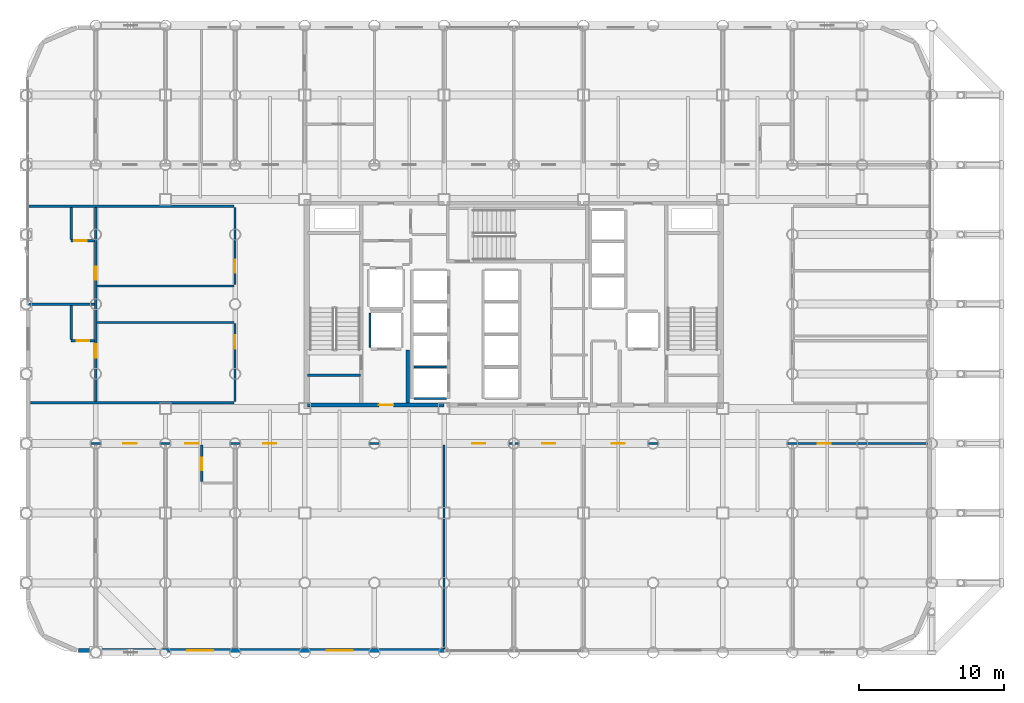
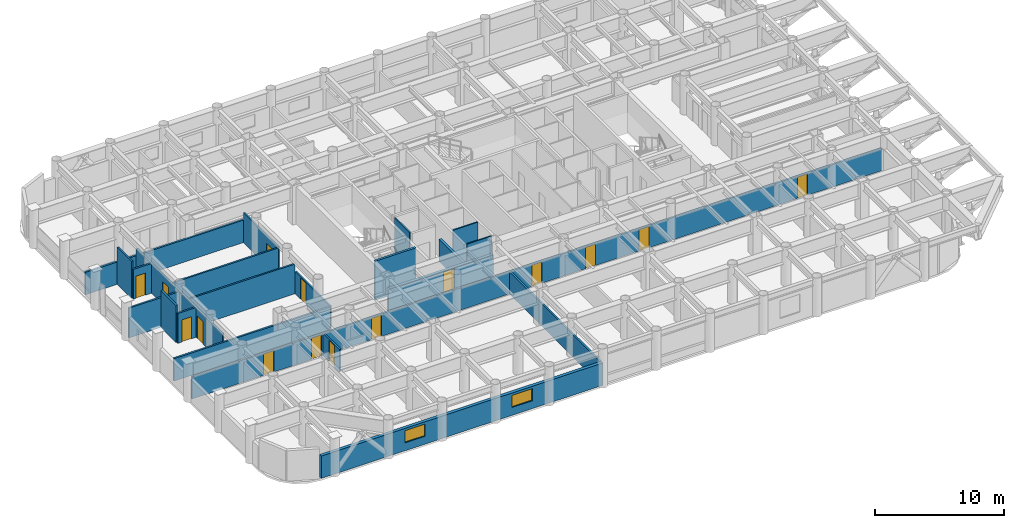
# One storey, part 21 of 26: 22 walls, 15 doors, 2 windows, 17 openings.
"""IFC4 building model written with IfcOpenShell, lengths in metres."""

from ifc_helpers import new_model, si_unit, direction, frame, frame_2d, origin, place, context, subcontext, project, spatial, rectangle, extrude, material, layer, layer_set, type_object, element, fill, save


model = new_model("IFC4")

# Units and contexts
model_context = context("Model", 3, precision=1e-05, world=origin(), true_north=direction((0.0, 1.0)))
body_context = subcontext(model_context, "Body", "Model", "MODEL_VIEW")
ifc_project = project(units=[si_unit("LENGTHUNIT", "METRE"), si_unit("AREAUNIT", "SQUARE_METRE"), si_unit("VOLUMEUNIT", "CUBIC_METRE"), si_unit("PLANEANGLEUNIT", "RADIAN"), si_unit("MASSUNIT", "GRAM", prefix="KILO")], contexts=[model_context])

# Site, building, storey
site_placement = place(None, origin())
site = spatial("IfcSite", under=ifc_project, at=site_placement, CompositionType="ELEMENT")
building_placement = place(site_placement, origin())
building = spatial("IfcBuilding", under=site, at=building_placement, Name="Kallvorn Hotel Tower", CompositionType="ELEMENT")
storey_placement = place(building_placement, frame((0.0, 0.0, 55.89990234375)))
storey = spatial("IfcBuildingStorey", under=building, at=storey_placement, Name="L12", CompositionType="ELEMENT", Elevation=55.89990234375)

# Wall, openings, doors
ifc_material_1 = material(Name="Fire-rated double-layer acoustic gypsum drywall EI 60")
ifc_layer_1 = layer(ifc_material_1, 0.159912109375)
ifc_layer_set_1 = layer_set([ifc_layer_1], Name="WL_DEMISE_160")
wall_type_1 = type_object("IfcWallType", Name="WL_DEMISE_160", PredefinedType="PARTITIONING", material=ifc_layer_set_1)
wall_1_placement = place(storey_placement, frame((-33.31005859375, -9.60009765625, 0.0), z_axis=(0.0, 0.0, 1.0), x_axis=(1.0, 0.0, 0.0)))
wall_1 = element("IfcWall", 1, at=wall_1_placement, inside=storey, type_object=wall_type_1, Name="L12 Suite 1203 Superior Twin Room Partition", PredefinedType="PARTITIONING", context=body_context, shape_type="SweptSolid", body=[
    extrude(rectangle(XDim=61.820068359375, YDim=0.159912109375, at=frame_2d((30.91015625, 0.0))), origin(), (0.0, 0.0, 1.0), 2.1201171875),
])
opening_1_placement = place(wall_1_placement, frame((6.419921875, 0.0, 0.0)))
opening_1 = element("IfcOpeningElement", 2, at=opening_1_placement, cuts=wall_1, Name="Opening SVD1A", PredefinedType="OPENING", context=body_context, shape_type="SweptSolid", body=[
    extrude(rectangle(XDim=0.89990234375, YDim=2.02001953125, at=frame_2d((0.449951171875, 1.010009765625))), frame((0.0, 0.094970703125, 0.0), z_axis=(0.0, -1.0, 0.0), x_axis=(1.0, 0.0, 0.0)), (0.0, 0.0, 1.0), 0.18994140625),
])
opening_2_placement = place(wall_1_placement, frame((54.240478515625, 0.0, 0.0)))
opening_2 = element("IfcOpeningElement", 3, at=opening_2_placement, cuts=wall_1, Name="Opening SVD1A", PredefinedType="OPENING", context=body_context, shape_type="SweptSolid", body=[
    extrude(rectangle(XDim=0.89990234375, YDim=2.02001953125, at=frame_2d((0.449951171875, 1.010009765625))), frame((0.0, 0.094970703125, 0.0), z_axis=(0.0, -1.0, 0.0), x_axis=(1.0, 0.0, 0.0)), (0.0, 0.0, 1.0), 0.18994140625),
])
opening_3_placement = place(wall_1_placement, frame((10.679931640625, 0.0, 0.0)))
opening_3 = element("IfcOpeningElement", 4, at=opening_3_placement, cuts=wall_1, Name="Opening GD1A", PredefinedType="OPENING", context=body_context, shape_type="SweptSolid", body=[
    extrude(rectangle(XDim=0.919921875, YDim=2.02001953125, at=frame_2d((0.4599609375, 1.010009765625))), frame((0.0, 0.094970703125, 0.0), z_axis=(0.0, -1.0, 0.0), x_axis=(1.0, 0.0, 0.0)), (0.0, 0.0, 1.0), 0.18994140625),
])
opening_4_placement = place(wall_1_placement, frame((16.06005859375, 0.0, 0.0)))
opening_4 = element("IfcOpeningElement", 5, at=opening_4_placement, cuts=wall_1, Name="Opening SVD1A", PredefinedType="OPENING", context=body_context, shape_type="SweptSolid", body=[
    extrude(rectangle(XDim=0.89990234375, YDim=2.02001953125, at=frame_2d((0.449951171875, 1.010009765625))), frame((0.0, 0.094970703125, 0.0), z_axis=(0.0, -1.0, 0.0), x_axis=(1.0, 0.0, 0.0)), (0.0, 0.0, 1.0), 0.18994140625),
])
opening_5_placement = place(wall_1_placement, frame((30.4599609375, 0.0, 0.0)))
opening_5 = element("IfcOpeningElement", 6, at=opening_5_placement, cuts=wall_1, Name="Opening SVD1A", PredefinedType="OPENING", context=body_context, shape_type="SweptSolid", body=[
    extrude(rectangle(XDim=0.89990234375, YDim=2.02001953125, at=frame_2d((0.449951171875, 1.010009765625))), frame((0.0, 0.094970703125, 0.0), z_axis=(0.0, -1.0, 0.0), x_axis=(1.0, 0.0, 0.0)), (0.0, 0.0, 1.0), 0.18994140625),
])
opening_6_placement = place(wall_1_placement, frame((35.260009765625, 0.0, 0.0)))
opening_6 = element("IfcOpeningElement", 7, at=opening_6_placement, cuts=wall_1, Name="Opening SVD1A", PredefinedType="OPENING", context=body_context, shape_type="SweptSolid", body=[
    extrude(rectangle(XDim=0.89990234375, YDim=2.02001953125, at=frame_2d((0.449951171875, 1.010009765625))), frame((0.0, 0.094970703125, 0.0), z_axis=(0.0, -1.0, 0.0), x_axis=(1.0, 0.0, 0.0)), (0.0, 0.0, 1.0), 0.18994140625),
])
opening_7_placement = place(wall_1_placement, frame((40.06005859375, 0.0, 0.0)))
opening_7 = element("IfcOpeningElement", 8, at=opening_7_placement, cuts=wall_1, Name="Opening SVD1A", PredefinedType="OPENING", context=body_context, shape_type="SweptSolid", body=[
    extrude(rectangle(XDim=0.89990234375, YDim=2.02001953125, at=frame_2d((0.449951171875, 1.010009765625))), frame((0.0, 0.094970703125, 0.0), z_axis=(0.0, -1.0, 0.0), x_axis=(1.0, 0.0, 0.0)), (0.0, 0.0, 1.0), 0.18994140625),
])
ifc_material_2 = material(Name="Solid-core walnut veneer fire-rated timber door leaf", Category="wood")
door_type_1 = type_object("IfcDoorType", Name="DR_GUEST_920x2020", OperationType="NOTDEFINED", PredefinedType="DOOR", material=ifc_material_2)
door_1_placement = place(opening_3_placement, origin())
door_1 = element("IfcDoor", 9, at=door_1_placement, inside=storey, type_object=door_type_1, Name="L12 Suite 1203 Superior Twin Room Door", OperationType="SINGLE_SWING_LEFT", OverallHeight=2.02001953125, OverallWidth=0.919921875, PredefinedType="DOOR", context=body_context, shape_type="SweptSolid", body=[
    extrude(rectangle(XDim=0.919921875, YDim=2.02001953125, at=frame_2d((0.4599609375, 1.010009765625))), frame((0.0, 0.02490234375, 0.0), z_axis=(0.0, -1.0, 0.0), x_axis=(1.0, 0.0, 0.0)), (0.0, 0.0, 1.0), 0.050048828125),
])
fill(opening_3, door_1)
ifc_material_3 = material(Name="Galvanised painted steel fire-rated door assembly", Category="steel")
door_type_2 = type_object("IfcDoorType", Name="DR_SERV_900x2020", OperationType="NOTDEFINED", PredefinedType="DOOR", material=ifc_material_3)
door_2_placement = place(opening_1_placement, origin())
door_2 = element("IfcDoor", 10, at=door_2_placement, inside=storey, type_object=door_type_2, Name="L12 L12 South-West Botanical Bar B Door", OperationType="SINGLE_SWING_RIGHT", OverallHeight=2.02001953125, OverallWidth=0.89990234375, PredefinedType="DOOR", context=body_context, shape_type="SweptSolid", body=[
    extrude(rectangle(XDim=0.89990234375, YDim=2.02001953125, at=frame_2d((0.449951171875, 1.010009765625))), frame((0.0, 0.02490234375, 0.0), z_axis=(0.0, -1.0, 0.0), x_axis=(1.0, 0.0, 0.0)), (0.0, 0.0, 1.0), 0.050048828125),
])
fill(opening_1, door_2)
door_3_placement = place(opening_2_placement, origin())
door_3 = element("IfcDoor", 11, at=door_3_placement, inside=storey, type_object=door_type_2, Name="L12 L12 South-East Sommelier Bar Door", OperationType="SINGLE_SWING_RIGHT", OverallHeight=2.02001953125, OverallWidth=0.89990234375, PredefinedType="DOOR", context=body_context, shape_type="SweptSolid", body=[
    extrude(rectangle(XDim=0.89990234375, YDim=2.02001953125, at=frame_2d((0.449951171875, 1.010009765625))), frame((0.0, 0.02490234375, 0.0), z_axis=(0.0, -1.0, 0.0), x_axis=(1.0, 0.0, 0.0)), (0.0, 0.0, 1.0), 0.050048828125),
])
fill(opening_2, door_3)
door_4_placement = place(opening_4_placement, origin())
door_4 = element("IfcDoor", 12, at=door_4_placement, inside=storey, type_object=door_type_2, Name="L12 L12 Diplomatic Summit Conference Boardroom 2 Door", OperationType="SINGLE_SWING_LEFT", OverallHeight=2.02001953125, OverallWidth=0.89990234375, PredefinedType="DOOR", context=body_context, shape_type="SweptSolid", body=[
    extrude(rectangle(XDim=0.89990234375, YDim=2.02001953125, at=frame_2d((0.449951171875, 1.010009765625))), frame((0.0, 0.02490234375, 0.0), z_axis=(0.0, -1.0, 0.0), x_axis=(1.0, 0.0, 0.0)), (0.0, 0.0, 1.0), 0.050048828125),
])
fill(opening_4, door_4)
door_5_placement = place(opening_5_placement, origin())
door_5 = element("IfcDoor", 13, at=door_5_placement, inside=storey, type_object=door_type_2, Name="L12 L12 Diplomatic Summit Conference Boardroom 3-1 Door", OperationType="SINGLE_SWING_LEFT", OverallHeight=2.02001953125, OverallWidth=0.89990234375, PredefinedType="DOOR", context=body_context, shape_type="SweptSolid", body=[
    extrude(rectangle(XDim=0.89990234375, YDim=2.02001953125, at=frame_2d((0.449951171875, 1.010009765625))), frame((0.0, 0.02490234375, 0.0), z_axis=(0.0, -1.0, 0.0), x_axis=(1.0, 0.0, 0.0)), (0.0, 0.0, 1.0), 0.050048828125),
])
fill(opening_5, door_5)
door_6_placement = place(opening_6_placement, origin())
door_6 = element("IfcDoor", 14, at=door_6_placement, inside=storey, type_object=door_type_2, Name="L12 L12 Diplomatic Summit Conference Boardroom 3-2 Door", OperationType="SINGLE_SWING_LEFT", OverallHeight=2.02001953125, OverallWidth=0.89990234375, PredefinedType="DOOR", context=body_context, shape_type="SweptSolid", body=[
    extrude(rectangle(XDim=0.89990234375, YDim=2.02001953125, at=frame_2d((0.449951171875, 1.010009765625))), frame((0.0, 0.02490234375, 0.0), z_axis=(0.0, -1.0, 0.0), x_axis=(1.0, 0.0, 0.0)), (0.0, 0.0, 1.0), 0.050048828125),
])
fill(opening_6, door_6)
door_7_placement = place(opening_7_placement, origin())
door_7 = element("IfcDoor", 15, at=door_7_placement, inside=storey, type_object=door_type_2, Name="L12 L12 Sommelier Wine and Tapas Bar 4 Door", OperationType="SINGLE_SWING_LEFT", OverallHeight=2.02001953125, OverallWidth=0.89990234375, PredefinedType="DOOR", context=body_context, shape_type="SweptSolid", body=[
    extrude(rectangle(XDim=0.89990234375, YDim=2.02001953125, at=frame_2d((0.449951171875, 1.010009765625))), frame((0.0, 0.02490234375, 0.0), z_axis=(0.0, -1.0, 0.0), x_axis=(1.0, 0.0, 0.0)), (0.0, 0.0, 1.0), 0.050048828125),
])
fill(opening_7, door_7)

# Wall
wall_2_placement = place(storey_placement, frame((-33.31005859375, -6.800048828125, 0.0), z_axis=(0.0, 0.0, 1.0), x_axis=(1.0, 0.0, 0.0)))
element("IfcWall", 16, at=wall_2_placement, inside=storey, type_object=wall_type_1, Name="L12 Suite 1201 W Loggia King Room Partition", PredefinedType="PARTITIONING", context=body_context, shape_type="SweptSolid", body=[
    extrude(rectangle(XDim=14.030029296875, YDim=0.159912109375, at=frame_2d((7.01513671875, 0.0))), origin(), (0.0, 0.0, 1.0), 2.1201171875),
])

# Wall, opening, door
wall_3_placement = place(storey_placement, frame((-30.5, -2.52490234375, 0.0), z_axis=(0.0, 0.0, 1.0), x_axis=(1.0, 0.0, 0.0)))
wall_3 = element("IfcWall", 17, at=wall_3_placement, inside=storey, type_object=wall_type_1, Name="L12 Suite 1201 W Loggia King Room Partition", PredefinedType="PARTITIONING", context=body_context, shape_type="SweptSolid", body=[
    extrude(rectangle(XDim=1.6201171875, YDim=0.159912109375, at=frame_2d((0.81005859375, 0.0))), origin(), (0.0, 0.0, 1.0), 2.820068359375),
])
opening_8_placement = place(wall_3_placement, frame((0.3798828125, 0.0, 0.0)))
opening_8 = element("IfcOpeningElement", 18, at=opening_8_placement, cuts=wall_3, Name="Opening BD-I", PredefinedType="OPENING", context=body_context, shape_type="SweptSolid", body=[
    extrude(rectangle(XDim=0.860107421875, YDim=2.10009765625, at=frame_2d((0.43017578125, 1.050048828125))), frame((0.0, 0.094970703125, 0.0), z_axis=(0.0, -1.0, 0.0), x_axis=(1.0, 0.0, 0.0)), (0.0, 0.0, 1.0), 0.18994140625),
])
ifc_material_4 = material(Name="Solid-core walnut veneer fire-rated timber door leaf", Category="wood")
door_type_3 = type_object("IfcDoorType", Name="DR_BATH_860x2100", OperationType="NOTDEFINED", PredefinedType="DOOR", material=ifc_material_4)
door_8_placement = place(opening_8_placement, origin())
door_8 = element("IfcDoor", 19, at=door_8_placement, inside=storey, type_object=door_type_3, Name="L12 Suite 1201 En-Suite Bathroom Door", OperationType="SINGLE_SWING_RIGHT", OverallHeight=2.10009765625, OverallWidth=0.860107421875, PredefinedType="DOOR", context=body_context, shape_type="SweptSolid", body=[
    extrude(rectangle(XDim=0.860107421875, YDim=2.10009765625, at=frame_2d((0.43017578125, 1.050048828125))), frame((0.0, 0.02490234375, 0.0), z_axis=(0.0, -1.0, 0.0), x_axis=(1.0, 0.0, 0.0)), (0.0, 0.0, 1.0), 0.050048828125),
])
fill(opening_8, door_8)

# Wall
wall_4_placement = place(storey_placement, frame((-33.429931640625, 0.0, 0.0), z_axis=(0.0, 0.0, 1.0), x_axis=(1.0, 0.0, 0.0)))
element("IfcWall", 20, at=wall_4_placement, inside=storey, type_object=wall_type_1, Name="L12 Suite 1202 W Andean Twin Room Partition", PredefinedType="PARTITIONING", context=body_context, shape_type="SweptSolid", body=[
    extrude(rectangle(XDim=4.550048828125, YDim=0.159912109375, at=frame_2d((2.27490234375, 0.0))), origin(), (0.0, 0.0, 1.0), 2.820068359375),
])

# Wall, opening, door
wall_5_placement = place(storey_placement, frame((-30.5, 4.373291015625, 0.0), z_axis=(0.0, 0.0, 1.0), x_axis=(1.0, 0.0, 0.0)))
wall_5 = element("IfcWall", 21, at=wall_5_placement, inside=storey, type_object=wall_type_1, Name="L12 Suite 1202 W Andean Twin Room Partition", PredefinedType="PARTITIONING", context=body_context, shape_type="SweptSolid", body=[
    extrude(rectangle(XDim=1.6201171875, YDim=0.159912109375, at=frame_2d((0.81005859375, 0.0))), origin(), (0.0, 0.0, 1.0), 2.820068359375),
])
opening_9_placement = place(wall_5_placement, frame((0.219970703125, 0.0, 0.0)))
opening_9 = element("IfcOpeningElement", 22, at=opening_9_placement, cuts=wall_5, Name="Opening BD-I", PredefinedType="OPENING", context=body_context, shape_type="SweptSolid", body=[
    extrude(rectangle(XDim=0.860107421875, YDim=2.10009765625, at=frame_2d((0.43017578125, 1.050048828125))), frame((0.0, 0.094970703125, 0.0), z_axis=(0.0, -1.0, 0.0), x_axis=(1.0, 0.0, 0.0)), (0.0, 0.0, 1.0), 0.18994140625),
])
door_9_placement = place(opening_9_placement, origin())
door_9 = element("IfcDoor", 23, at=door_9_placement, inside=storey, type_object=door_type_3, Name="L12 Suite 1202 En-Suite Bathroom Door", OperationType="SINGLE_SWING_LEFT", OverallHeight=2.10009765625, OverallWidth=0.860107421875, PredefinedType="DOOR", context=body_context, shape_type="SweptSolid", body=[
    extrude(rectangle(XDim=0.860107421875, YDim=2.10009765625, at=frame_2d((0.43017578125, 1.050048828125))), frame((0.0, 0.02490234375, 0.0), z_axis=(0.0, -1.0, 0.0), x_axis=(1.0, 0.0, 0.0)), (0.0, 0.0, 1.0), 0.050048828125),
])
fill(opening_9, door_9)

# Walls
wall_6_placement = place(storey_placement, frame((-33.429931640625, 6.75, 0.0), z_axis=(0.0, 0.0, 1.0), x_axis=(1.0, 0.0, 0.0)))
element("IfcWall", 24, at=wall_6_placement, inside=storey, type_object=wall_type_1, Name="L12 Suite 1202 W Andean Twin Room Partition", PredefinedType="PARTITIONING", context=body_context, shape_type="SweptSolid", body=[
    extrude(rectangle(XDim=14.14990234375, YDim=0.159912109375, at=frame_2d((7.074951171875, 0.0))), origin(), (0.0, 0.0, 1.0), 2.1201171875),
])
wall_7_placement = place(storey_placement, frame((-30.5, -2.43994140625, 0.0), z_axis=(0.0, 0.0, 1.0), x_axis=(0.0, 1.0, 0.0)))
element("IfcWall", 25, at=wall_7_placement, inside=storey, type_object=wall_type_1, Name="L12 Suite 1201 W Loggia King Room Partition", PredefinedType="PARTITIONING", context=body_context, shape_type="SweptSolid", body=[
    extrude(rectangle(XDim=2.33984375, YDim=0.159912109375, at=frame_2d((1.169921875, 0.0))), origin(), (0.0, 0.0, 1.0), 3.52001953125),
])
wall_8_placement = place(storey_placement, frame((-30.5, 4.458251953125, 0.0), z_axis=(0.0, 0.0, 1.0), x_axis=(0.0, 1.0, 0.0)))
element("IfcWall", 26, at=wall_8_placement, inside=storey, type_object=wall_type_1, Name="L12 Suite 1202 W Andean Twin Room Partition", PredefinedType="PARTITIONING", context=body_context, shape_type="SweptSolid", body=[
    extrude(rectangle(XDim=2.206787109375, YDim=0.159912109375, at=frame_2d((1.103515625, 0.0))), origin(), (0.0, 0.0, 1.0), 3.52001953125),
])

# Wall, openings, doors
wall_9_placement = place(storey_placement, frame((-28.800048828125, -6.715087890625, 0.0), z_axis=(0.0, 0.0, 1.0), x_axis=(0.0, 1.0, 0.0)))
wall_9 = element("IfcWall", 27, at=wall_9_placement, inside=storey, type_object=wall_type_1, Name="L12 Suite 1201 W Loggia King Room Partition", PredefinedType="PARTITIONING", context=body_context, shape_type="SweptSolid", body=[
    extrude(rectangle(XDim=13.380126953125, YDim=0.159912109375, at=frame_2d((6.68994140625, 0.0))), origin(), (0.0, 0.0, 1.0), 2.820068359375),
])
opening_10_placement = place(wall_9_placement, frame((3.034912109375, 0.0, 0.0)))
opening_10 = element("IfcOpeningElement", 28, at=opening_10_placement, cuts=wall_9, Name="Opening GD1", PredefinedType="OPENING", context=body_context, shape_type="SweptSolid", body=[
    extrude(rectangle(XDim=0.919921875, YDim=2.14990234375, at=frame_2d((0.4599609375, 1.074951171875))), frame((0.0, 0.094970703125, 0.0), z_axis=(0.0, -1.0, 0.0), x_axis=(1.0, 0.0, 0.0)), (0.0, 0.0, 1.0), 0.18994140625),
])
opening_11_placement = place(wall_9_placement, frame((8.385009765625, 0.0, 0.0)))
opening_11 = element("IfcOpeningElement", 29, at=opening_11_placement, cuts=wall_9, Name="Opening GD1", PredefinedType="OPENING", context=body_context, shape_type="SweptSolid", body=[
    extrude(rectangle(XDim=0.919921875, YDim=2.14990234375, at=frame_2d((0.4599609375, 1.074951171875))), frame((0.0, 0.094970703125, 0.0), z_axis=(0.0, -1.0, 0.0), x_axis=(1.0, 0.0, 0.0)), (0.0, 0.0, 1.0), 0.18994140625),
])
ifc_material_5 = material(Name="Solid-core walnut veneer fire-rated timber door leaf", Category="wood")
door_type_4 = type_object("IfcDoorType", Name="DR_GUEST_920x2150", OperationType="NOTDEFINED", PredefinedType="DOOR", material=ifc_material_5)
door_10_placement = place(opening_10_placement, origin())
door_10 = element("IfcDoor", 30, at=door_10_placement, inside=storey, type_object=door_type_4, Name="L12 Suite 1201 W Loggia King Room Door", OperationType="SINGLE_SWING_RIGHT", OverallHeight=2.14990234375, OverallWidth=0.919921875, PredefinedType="DOOR", context=body_context, shape_type="SweptSolid", body=[
    extrude(rectangle(XDim=0.919921875, YDim=2.14990234375, at=frame_2d((0.4599609375, 1.074951171875))), frame((0.0, 0.02490234375, 0.0), z_axis=(0.0, -1.0, 0.0), x_axis=(1.0, 0.0, 0.0)), (0.0, 0.0, 1.0), 0.050048828125),
])
fill(opening_10, door_10)
door_11_placement = place(opening_11_placement, origin())
door_11 = element("IfcDoor", 31, at=door_11_placement, inside=storey, type_object=door_type_4, Name="L12 Suite 1202 W Andean Twin Room Door", OperationType="SINGLE_SWING_RIGHT", OverallHeight=2.14990234375, OverallWidth=0.919921875, PredefinedType="DOOR", context=body_context, shape_type="SweptSolid", body=[
    extrude(rectangle(XDim=0.919921875, YDim=2.14990234375, at=frame_2d((0.4599609375, 1.074951171875))), frame((0.0, 0.02490234375, 0.0), z_axis=(0.0, -1.0, 0.0), x_axis=(1.0, 0.0, 0.0)), (0.0, 0.0, 1.0), 0.050048828125),
])
fill(opening_11, door_11)

# Wall, opening, door
wall_10_placement = place(storey_placement, frame((-21.5048828125, -12.235107421875, 0.0), z_axis=(0.0, 0.0, 1.0), x_axis=(0.0, 1.0, 0.0)))
wall_10 = element("IfcWall", 32, at=wall_10_placement, inside=storey, type_object=wall_type_1, Name="L12 Suite 1203 Superior Twin Room Partition", PredefinedType="PARTITIONING", context=body_context, shape_type="SweptSolid", body=[
    extrude(rectangle(XDim=2.51513671875, YDim=0.159912109375, at=frame_2d((1.257568359375, 0.0))), origin(), (0.0, 0.0, 1.0), 2.1201171875),
])
opening_12_placement = place(wall_10_placement, frame((0.784912109375, 0.0, 0.0)))
opening_12 = element("IfcOpeningElement", 33, at=opening_12_placement, cuts=wall_10, Name="Opening BD-IA", PredefinedType="OPENING", context=body_context, shape_type="SweptSolid", body=[
    extrude(rectangle(XDim=0.860107421875, YDim=2.02001953125, at=frame_2d((0.43017578125, 1.010009765625))), frame((0.0, 0.094970703125, 0.0), z_axis=(0.0, -1.0, 0.0), x_axis=(1.0, 0.0, 0.0)), (0.0, 0.0, 1.0), 0.18994140625),
])
ifc_material_6 = material(Name="Solid-core walnut veneer fire-rated timber door leaf", Category="wood")
door_type_5 = type_object("IfcDoorType", Name="DR_BATH_860x2020", OperationType="NOTDEFINED", PredefinedType="DOOR", material=ifc_material_6)
door_12_placement = place(opening_12_placement, origin())
door_12 = element("IfcDoor", 34, at=door_12_placement, inside=storey, type_object=door_type_5, Name="L12 Suite 1203 En-Suite Bathroom Door", OperationType="SINGLE_SWING_RIGHT", OverallHeight=2.02001953125, OverallWidth=0.860107421875, PredefinedType="DOOR", context=body_context, shape_type="SweptSolid", body=[
    extrude(rectangle(XDim=0.860107421875, YDim=2.02001953125, at=frame_2d((0.43017578125, 1.010009765625))), frame((0.0, 0.02490234375, 0.0), z_axis=(0.0, -1.0, 0.0), x_axis=(1.0, 0.0, 0.0)), (0.0, 0.0, 1.0), 0.050048828125),
])
fill(opening_12, door_12)

# Wall, openings, windows
ifc_material_7 = material(Name="Precast basalt-clad insulated concrete wall C40/50", Category="masonry")
ifc_layer_2 = layer(ifc_material_7, 0.280029296875)
ifc_layer_set_2 = layer_set([ifc_layer_2], Name="WL_EXT_LOGGIA_280")
wall_type_2 = type_object("IfcWallType", Name="WL_EXT_LOGGIA_280", PredefinedType="SOLIDWALL", material=ifc_layer_set_2)
wall_11_placement = place(storey_placement, frame((-30.0, -23.860107421875, 0.0), z_axis=(0.0, 0.0, 1.0), x_axis=(1.0, 0.0, 0.0)))
wall_11 = element("IfcWall", 35, at=wall_11_placement, inside=storey, type_object=wall_type_2, Name="L12 Exterior Envelope Wall EW-L12-SW", PredefinedType="SOLIDWALL", context=body_context, shape_type="SweptSolid", body=[
    extrude(rectangle(XDim=25.25, YDim=0.280029296875, at=frame_2d((12.625, 0.0))), origin(), (0.0, 0.0, 1.0), 2.1201171875),
])
opening_13_placement = place(wall_11_placement, frame((7.5, 0.0, 0.75)))
opening_13 = element("IfcOpeningElement", 36, at=opening_13_placement, cuts=wall_11, Name="Opening W04A", PredefinedType="OPENING", context=body_context, shape_type="SweptSolid", body=[
    extrude(rectangle(XDim=1.800048828125, YDim=1.14990234375, at=frame_2d((0.89990234375, 0.574951171875))), frame((0.0, 0.155029296875, 0.0), z_axis=(0.0, -1.0, 0.0), x_axis=(1.0, 0.0, 0.0)), (0.0, 0.0, 1.0), 0.31005859375),
])
opening_14_placement = place(wall_11_placement, frame((17.10009765625, 0.0, 0.75)))
opening_14 = element("IfcOpeningElement", 37, at=opening_14_placement, cuts=wall_11, Name="Opening W04A", PredefinedType="OPENING", context=body_context, shape_type="SweptSolid", body=[
    extrude(rectangle(XDim=1.800048828125, YDim=1.14990234375, at=frame_2d((0.89990234375, 0.574951171875))), frame((0.0, 0.155029296875, 0.0), z_axis=(0.0, -1.0, 0.0), x_axis=(1.0, 0.0, 0.0)), (0.0, 0.0, 1.0), 0.31005859375),
])
ifc_material_8 = material(Name="Double-glazed low-e solar-control dark glass", Category="glass")
window_type = type_object("IfcWindowType", Name="WN_HTL_1800x1150", PartitioningType="SINGLE_PANEL", PredefinedType="WINDOW", material=ifc_material_8)
window_1_placement = place(opening_13_placement, origin())
window_1 = element("IfcWindow", 38, at=window_1_placement, inside=storey, type_object=window_type, Name="L12 Guestroom Exterior Window 02", OverallHeight=1.14990234375, OverallWidth=1.800048828125, PartitioningType="SINGLE_PANEL", PredefinedType="WINDOW", context=body_context, shape_type="SweptSolid", body=[
    extrude(rectangle(XDim=1.800048828125, YDim=1.14990234375, at=frame_2d((0.89990234375, 0.574951171875))), frame((0.0, 0.030029296875, 0.0), z_axis=(0.0, -1.0, 0.0), x_axis=(1.0, 0.0, 0.0)), (0.0, 0.0, 1.0), 0.06005859375),
])
fill(opening_13, window_1)
window_2_placement = place(opening_14_placement, origin())
window_2 = element("IfcWindow", 39, at=window_2_placement, inside=storey, type_object=window_type, Name="L12 Guestroom Exterior Window 03", OverallHeight=1.14990234375, OverallWidth=1.800048828125, PartitioningType="SINGLE_PANEL", PredefinedType="WINDOW", context=body_context, shape_type="SweptSolid", body=[
    extrude(rectangle(XDim=1.800048828125, YDim=1.14990234375, at=frame_2d((0.89990234375, 0.574951171875))), frame((0.0, 0.030029296875, 0.0), z_axis=(0.0, -1.0, 0.0), x_axis=(1.0, 0.0, 0.0)), (0.0, 0.0, 1.0), 0.06005859375),
])
fill(opening_14, window_2)

# Walls
ifc_material_9 = material(Name="Concrete C40/50", Category="concrete")
ifc_layer_3 = layer(ifc_material_9, 0.219970703125)
ifc_layer_set_3 = layer_set([ifc_layer_3], Name="WL_FFL_220")
wall_type_3 = type_object("IfcWallType", Name="WL_FFL_220", PredefinedType="SOLIDWALL", material=ifc_layer_set_3)
wall_12_placement = place(storey_placement, frame((-7.300048828125, -6.820068359375, 0.0), z_axis=(0.0, 0.0, 1.0), x_axis=(0.0, 1.0, 0.0)))
element("IfcWall", 40, at=wall_12_placement, inside=storey, type_object=wall_type_3, Name="L12 Firefighting Lobby West Divider Wall", PredefinedType="SOLIDWALL", context=body_context, shape_type="SweptSolid", body=[
    extrude(rectangle(XDim=3.670166015625, YDim=0.219970703125, at=frame_2d((1.8349609375, 0.0))), origin(), (0.0, 0.0, 1.0), 2.1201171875),
])
ifc_material_10 = material(Name="Concrete C40/50", Category="concrete")
ifc_layer_4 = layer(ifc_material_10, 0.199951171875)
ifc_layer_set_4 = layer_set([ifc_layer_4], Name="WL_HOIST_200")
wall_type_4 = type_object("IfcWallType", Name="WL_HOIST_200", PredefinedType="SOLIDWALL", material=ifc_layer_set_4)
wall_13_placement = place(storey_placement, frame((-14.199951171875, -4.89990234375, -0.179931640625), z_axis=(0.0, 0.0, 1.0), x_axis=(1.0, 0.0, 0.0)))
element("IfcWall", 41, at=wall_13_placement, inside=storey, type_object=wall_type_4, Name="L12 Stair ST1 South Wall", PredefinedType="SOLIDWALL", context=body_context, shape_type="SweptSolid", body=[
    extrude(rectangle(XDim=3.64990234375, YDim=0.199951171875, at=frame_2d((1.824951171875, 0.0))), origin(), (0.0, 0.0, 1.0), 3.699951171875),
])
ifc_material_11 = material(Name="Fire-rated double-layer acoustic gypsum drywall EI 60")
ifc_layer_5 = layer(ifc_material_11, 0.1201171875)
ifc_layer_set_5 = layer_set([ifc_layer_5], Name="WL_INT_120")
wall_type_5 = type_object("IfcWallType", Name="WL_INT_120", PredefinedType="PARTITIONING", material=ifc_layer_set_5)
for number, where, z_axis, x_axis, name in (
    (42, (-6.860107421875, -6.5, 0.0), (0.0, 0.0, 1.0), (1.0, 0.0, 0.0), "L12 Lift Bank B1 South Closure Wall"),
    (43, (-6.860107421875, -4.324951171875, 0.0), (0.0, 0.0, 1.0), (1.0, 0.0, 0.0), "L12 PL-01 Hoistway Divider"),
):
    element("IfcWall", number, at=place(storey_placement, frame(where, z_axis=z_axis, x_axis=x_axis)), inside=storey, type_object=wall_type_5, Name=name, PredefinedType="PARTITIONING", context=body_context, shape_type="SweptSolid", body=[
        extrude(rectangle(XDim=2.22021484375, YDim=0.1201171875, at=frame_2d((1.110107421875, 0.0))), origin(), (0.0, 0.0, 1.0), 3.52001953125),
    ])
wall_14_placement = place(storey_placement, frame((-9.89990234375, -2.9599609375, 0.0), z_axis=(0.0, 0.0, 1.0), x_axis=(0.0, 1.0, 0.0)))
element("IfcWall", 44, at=wall_14_placement, inside=storey, type_object=wall_type_5, Name="L12 FL-1 West Shaft Wall", PredefinedType="PARTITIONING", context=body_context, shape_type="SweptSolid", body=[
    extrude(rectangle(XDim=2.320068359375, YDim=0.1201171875, at=frame_2d((1.16015625, 0.0))), origin(), (0.0, 0.0, 1.0), 3.52001953125),
])
ifc_material_12 = material(Name="Fire-rated double-layer acoustic gypsum drywall EI 60")
ifc_layer_6 = layer(ifc_material_12, 0.14990234375)
ifc_layer_set_6 = layer_set([ifc_layer_6], Name="WL_PART_150")
wall_type_6 = type_object("IfcWallType", Name="WL_PART_150", PredefinedType="PARTITIONING", material=ifc_layer_set_6)
for number, where, z_axis, x_axis, name in (
    (45, (-28.719970703125, -1.260009765625, 0.0), (0.0, 0.0, 1.0), (1.0, 0.0, 0.0), "L12 L12 West Inner Club Bar Partition"),
    (46, (-28.719970703125, 1.260009765625, 0.0), (0.0, 0.0, 1.0), (1.0, 0.0, 0.0), "L12 L12 West Inner Reading Salon Partition"),
):
    element("IfcWall", number, at=place(storey_placement, frame(where, z_axis=z_axis, x_axis=x_axis)), inside=storey, type_object=wall_type_6, Name=name, PredefinedType="PARTITIONING", context=body_context, shape_type="SweptSolid", body=[
        extrude(rectangle(XDim=9.43994140625, YDim=0.14990234375, at=frame_2d((4.719970703125, 0.0))), origin(), (0.0, 0.0, 1.0), 2.820068359375),
    ])

# Wall, opening, door
wall_15_placement = place(storey_placement, frame((-19.199951171875, -6.715087890625, 0.0), z_axis=(0.0, 0.0, 1.0), x_axis=(0.0, 1.0, 0.0)))
wall_15 = element("IfcWall", 47, at=wall_15_placement, inside=storey, type_object=wall_type_6, Name="L12 L12 West Inner Club Bar Partition", PredefinedType="PARTITIONING", context=body_context, shape_type="SweptSolid", body=[
    extrude(rectangle(XDim=5.3701171875, YDim=0.14990234375, at=frame_2d((2.68505859375, 0.0))), origin(), (0.0, 0.0, 1.0), 2.1201171875),
])
opening_15_placement = place(wall_15_placement, frame((3.66015625, 0.0, 0.0)))
opening_15 = element("IfcOpeningElement", 48, at=opening_15_placement, cuts=wall_15, Name="Opening SVD1A", PredefinedType="OPENING", context=body_context, shape_type="SweptSolid", body=[
    extrude(rectangle(XDim=0.89990234375, YDim=2.02001953125, at=frame_2d((0.449951171875, 1.010009765625))), frame((0.0, 0.08984375, 0.0), z_axis=(0.0, -1.0, 0.0), x_axis=(1.0, 0.0, 0.0)), (0.0, 0.0, 1.0), 0.179931640625),
])
door_13_placement = place(opening_15_placement, origin())
door_13 = element("IfcDoor", 49, at=door_13_placement, inside=storey, type_object=door_type_2, Name="L12 L12 West Inner Club Bar Door", OperationType="SINGLE_SWING_LEFT", OverallHeight=2.02001953125, OverallWidth=0.89990234375, PredefinedType="DOOR", context=body_context, shape_type="SweptSolid", body=[
    extrude(rectangle(XDim=0.89990234375, YDim=2.02001953125, at=frame_2d((0.449951171875, 1.010009765625))), frame((0.0, 0.02490234375, 0.0), z_axis=(0.0, -1.0, 0.0), x_axis=(1.0, 0.0, 0.0)), (0.0, 0.0, 1.0), 0.050048828125),
])
fill(opening_15, door_13)

wall_16_placement = place(storey_placement, frame((-19.199951171875, 1.344970703125, 0.0), z_axis=(0.0, 0.0, 1.0), x_axis=(0.0, 1.0, 0.0)))
wall_16 = element("IfcWall", 50, at=wall_16_placement, inside=storey, type_object=wall_type_6, Name="L12 L12 West Inner Reading Salon Partition", PredefinedType="PARTITIONING", context=body_context, shape_type="SweptSolid", body=[
    extrude(rectangle(XDim=5.320068359375, YDim=0.14990234375, at=frame_2d((2.66015625, 0.0))), origin(), (0.0, 0.0, 1.0), 2.820068359375),
])
opening_16_placement = place(wall_16_placement, frame((0.81689453125, 0.0, 0.0)))
opening_16 = element("IfcOpeningElement", 51, at=opening_16_placement, cuts=wall_16, Name="Opening SVD1", PredefinedType="OPENING", context=body_context, shape_type="SweptSolid", body=[
    extrude(rectangle(XDim=0.89990234375, YDim=2.10009765625, at=frame_2d((0.449951171875, 1.050048828125))), frame((0.0, 0.08984375, 0.0), z_axis=(0.0, -1.0, 0.0), x_axis=(1.0, 0.0, 0.0)), (0.0, 0.0, 1.0), 0.179931640625),
])
ifc_material_13 = material(Name="Galvanised painted steel fire-rated door assembly", Category="steel")
door_type_6 = type_object("IfcDoorType", Name="DR_SERV_900x2100", OperationType="NOTDEFINED", PredefinedType="DOOR", material=ifc_material_13)
door_14_placement = place(opening_16_placement, origin())
door_14 = element("IfcDoor", 52, at=door_14_placement, inside=storey, type_object=door_type_6, Name="L12 L12 West Inner Reading Salon Door", OperationType="SINGLE_SWING_RIGHT", OverallHeight=2.10009765625, OverallWidth=0.89990234375, PredefinedType="DOOR", context=body_context, shape_type="SweptSolid", body=[
    extrude(rectangle(XDim=0.89990234375, YDim=2.10009765625, at=frame_2d((0.449951171875, 1.050048828125))), frame((0.0, 0.02490234375, 0.0), z_axis=(0.0, -1.0, 0.0), x_axis=(1.0, 0.0, 0.0)), (0.0, 0.0, 1.0), 0.050048828125),
])
fill(opening_16, door_14)

# Wall
wall_17_placement = place(storey_placement, frame((-4.800048828125, -23.7099609375, 0.0), z_axis=(0.0, 0.0, 1.0), x_axis=(0.0, 1.0, 0.0)))
element("IfcWall", 53, at=wall_17_placement, inside=storey, type_object=wall_type_6, Name="L12 L12 Diplomatic Summit Conference Boardroom 2 Partition", PredefinedType="PARTITIONING", context=body_context, shape_type="SweptSolid", body=[
    extrude(rectangle(XDim=13.989990234375, YDim=0.14990234375, at=frame_2d((6.9951171875, 0.0))), origin(), (0.0, 0.0, 1.0), 2.1201171875),
])

# Wall, opening, door
ifc_material_14 = material(Name="Concrete C40/50", Category="concrete")
ifc_layer_7 = layer(ifc_material_14, 0.25)
ifc_layer_set_7 = layer_set([ifc_layer_7], Name="WL_SHAFT_250")
wall_type_7 = type_object("IfcWallType", Name="WL_SHAFT_250", PredefinedType="SOLIDWALL", material=ifc_layer_set_7)
wall_18_placement = place(storey_placement, frame((-14.199951171875, -6.949951171875, 0.0), z_axis=(0.0, 0.0, 1.0), x_axis=(1.0, 0.0, 0.0)))
wall_18 = element("IfcWall", 54, at=wall_18_placement, inside=storey, type_object=wall_type_7, Name="L12 Core South-West Wall", PredefinedType="SOLIDWALL", context=body_context, shape_type="SweptSolid", body=[
    extrude(rectangle(XDim=9.39990234375, YDim=0.25, at=frame_2d((4.699951171875, 0.0))), origin(), (0.0, 0.0, 1.0), 2.1201171875),
])
opening_17_placement = place(wall_18_placement, frame((4.89990234375, 0.0, 0.0)))
opening_17 = element("IfcOpeningElement", 55, at=opening_17_placement, cuts=wall_18, Name="Opening FD1A", PredefinedType="OPENING", context=body_context, shape_type="SweptSolid", body=[
    extrude(rectangle(XDim=1.0, YDim=2.02001953125, at=frame_2d((0.5, 1.010009765625))), frame((0.0, 0.139892578125, 0.0), z_axis=(0.0, -1.0, 0.0), x_axis=(1.0, 0.0, 0.0)), (0.0, 0.0, 1.0), 0.280029296875),
])
ifc_material_15 = material(Name="Galvanised painted steel fire-rated door assembly", Category="steel")
door_type_7 = type_object("IfcDoorType", Name="DR_FFL_1000x2020", OperationType="NOTDEFINED", PredefinedType="DOOR", material=ifc_material_15)
door_15_placement = place(opening_17_placement, origin())
door_15 = element("IfcDoor", 56, at=door_15_placement, inside=storey, type_object=door_type_7, Name="L12 Firefighting Lobby West Door", OperationType="SINGLE_SWING_LEFT", OverallHeight=2.02001953125, OverallWidth=1.0, PredefinedType="DOOR", context=body_context, shape_type="SweptSolid", body=[
    extrude(rectangle(XDim=1.0, YDim=2.02001953125, at=frame_2d((0.5, 1.010009765625))), frame((0.0, 0.02490234375, 0.0), z_axis=(0.0, -1.0, 0.0), x_axis=(1.0, 0.0, 0.0)), (0.0, 0.0, 1.0), 0.050048828125),
])
fill(opening_17, door_15)

save(model, "model.ifc")
